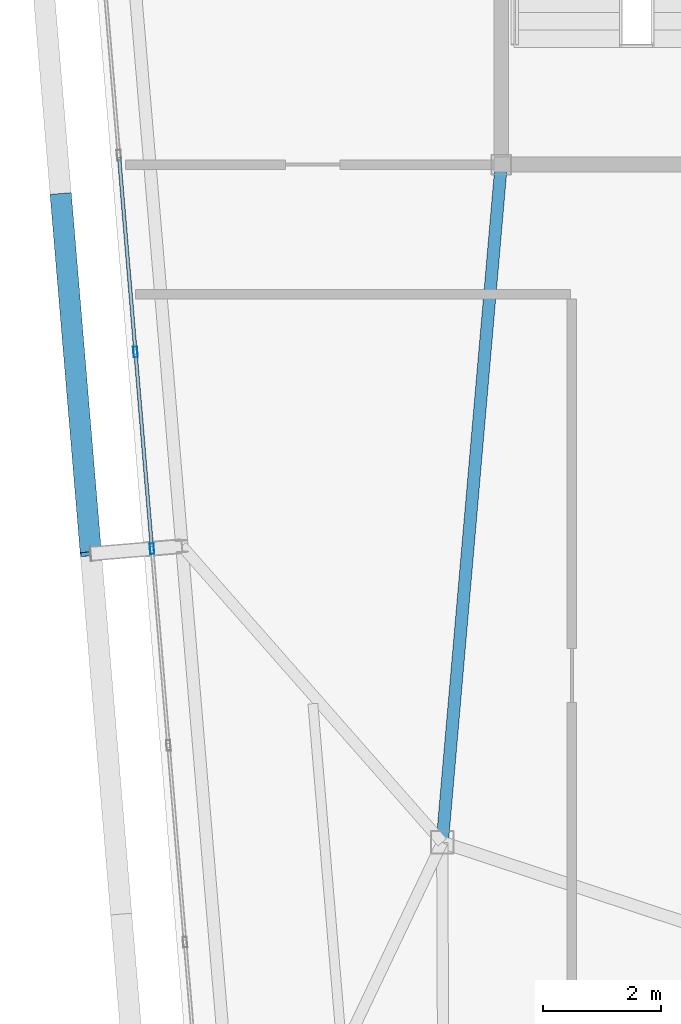
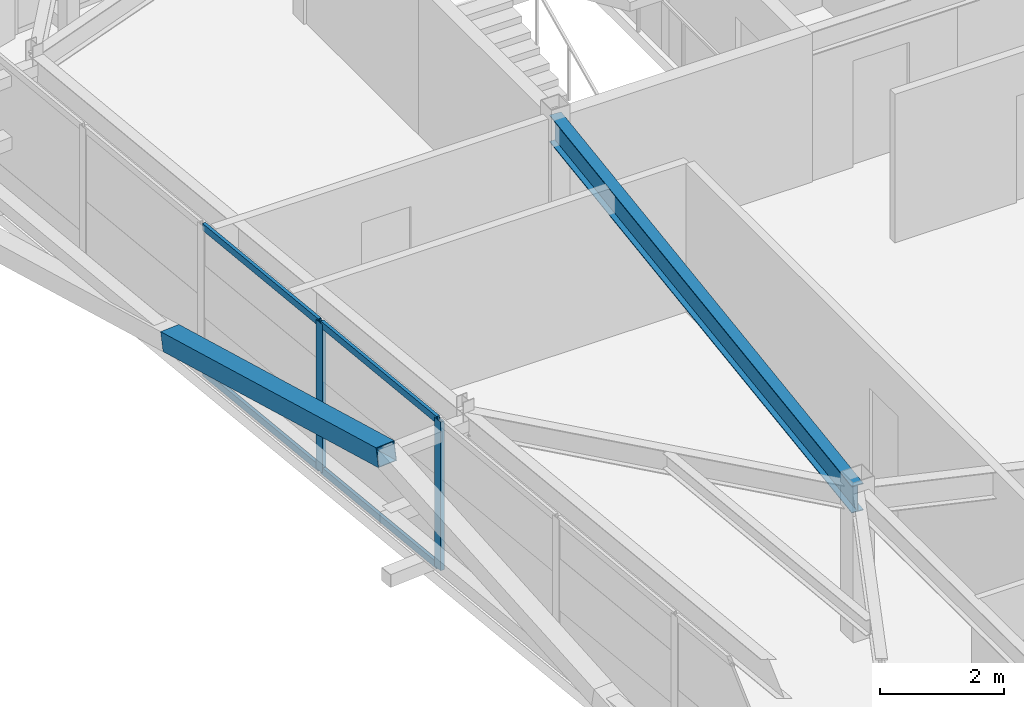
# One storey, part 14 of 46: 7 members, 1 beam, 1 element without a shape of its own.
"""IFC4 building model written with IfcOpenShell, lengths in metres."""

from ifc_helpers import new_model, si_unit, direction, frame, origin, origin_2d, place, context, subcontext, project, spatial, hollow_rectangle, i_section, extrude, source, transform, mapped, material, layer, layer_set, material_profile, profile_set, type_object, element, aggregate, save


model = new_model("IFC4")

# Units and contexts
model_context = context("Model", 3, precision=1e-05, world=origin(), true_north=direction((0.0, 1.0)))
body_context = subcontext(model_context, "Body", "Model", "MODEL_VIEW")
ifc_project = project(units=[si_unit("LENGTHUNIT", "METRE"), si_unit("AREAUNIT", "SQUARE_METRE"), si_unit("VOLUMEUNIT", "CUBIC_METRE"), si_unit("PLANEANGLEUNIT", "RADIAN"), si_unit("MASSUNIT", "GRAM", prefix="KILO")], contexts=[model_context])

# Site, building, storey
site_placement = place(None, origin())
site = spatial("IfcSite", under=ifc_project, at=site_placement, CompositionType="ELEMENT")
building_placement = place(site_placement, origin())
building = spatial("IfcBuilding", under=site, at=building_placement, Name="Taldren Reach Tower", CompositionType="ELEMENT")
storey_placement = place(building_placement, frame((0.0, 0.0, 185.14990234375)))
storey = spatial("IfcBuildingStorey", under=building, at=storey_placement, Name="L56", CompositionType="ELEMENT", Elevation=185.14990234375)

# Beam
ifc_material_1 = material(Name="Steel Gr 350 (350PLUS)", Category="steel")
ifc_material_profile_1 = material_profile(ifc_material_1, i_section(OverallWidth=0.208984375, OverallDepth=0.532958984375, WebThickness=0.01025390625, FlangeThickness=0.015625, at=origin_2d()), Name="530UB92.4")
ifc_profile_set_1 = profile_set([ifc_material_profile_1], Name="Steel Gr 350 (350PLUS)")
beam_type = type_object("IfcBeamType", Name="BM-UB530A", PredefinedType="BEAM", material=ifc_profile_set_1)
shared_shape_1 = source(origin(), body_context, "Body", "SweptSolid", [
    extrude(i_section(OverallWidth=0.208984375, OverallDepth=0.532958984375, WebThickness=0.01025390625, FlangeThickness=0.015625, at=origin_2d()), origin(), (0.0, 0.0, 1.0), 11.54345703125),
])
beam_placement = place(storey_placement, frame((19.0, 24.0, 2.66357421875), z_axis=(-0.086629616365, -0.996240588196, 0.0), x_axis=(0.996240588196, -0.086629616365, 0.0)))
element("IfcBeam", 1, at=beam_placement, inside=storey, type_object=beam_type, Name="Core-spine girder L56-SP09", PredefinedType="BEAM", context=body_context, shape_type="MappedRepresentation", body=[
    mapped(shared_shape_1, transform((0.0, 0.0, 0.0), scale=1.0)),
])

# Member
ifc_material_2 = material(Name="Steel Gr 450 (C450L0)", Category="steel")
ifc_material_profile_2 = material_profile(ifc_material_2, hollow_rectangle(XDim=0.360107421875, YDim=0.360107421875, WallThickness=0.0126953125, at=origin_2d()), Name="360x360x12.7SHS")
ifc_profile_set_2 = profile_set([ifc_material_profile_2], Name="Steel Gr 450 (C450L0)")
member_type_1 = type_object("IfcMemberType", Name="MB-EXO356", PredefinedType="BRACE", material=ifc_profile_set_2)
shared_shape_2 = source(origin(), body_context, "Body", "SweptSolid", [
    extrude(hollow_rectangle(XDim=0.360107421875, YDim=0.360107421875, WallThickness=0.0126953125, at=origin_2d()), origin(), (0.0, 0.0, 1.0), 6.2197265625),
])
member_1_placement = place(storey_placement, frame((11.52783203125, 23.47412109375, 1.43505859375), z_axis=(0.082036577282, -0.977295072332, 0.195356959394), x_axis=(0.996495340012, 0.08364829547, 0.0)))
element("IfcMember", 2, at=member_1_placement, inside=storey, type_object=member_type_1, Name="Exoskeleton Diagrid Brace B4-W2 L56", PredefinedType="BRACE", context=body_context, shape_type="MappedRepresentation", body=[
    mapped(shared_shape_2, transform((0.0, 0.0, 0.0), scale=1.0)),
])

# Curtain wall, members
ifc_material_3 = material(Name="Aluminium and Low-E Glass Unitised System", Category="aluminium")
ifc_layer = layer(ifc_material_3, 0.159912109375)
ifc_layer_set = layer_set([ifc_layer], Name="Aluminium and Low-E Glass Unitised System")
curtain_wall_type = type_object("IfcCurtainWallType", Name="CW-SYS-5", PredefinedType="NOTDEFINED", material=ifc_layer_set)
curtain_wall_placement = place(storey_placement, origin())
curtain_wall = element("IfcCurtainWall", 3, at=curtain_wall_placement, inside=storey, type_object=curtain_wall_type, Name="Unitised curtain wall CW-L56-W", PredefinedType="NOTDEFINED")
ifc_material_4 = material(Name="Anodised Aluminium 6063-T6", Category="aluminium")
ifc_material_profile_3 = material_profile(ifc_material_4, hollow_rectangle(XDim=0.070068359375, YDim=0.179931640625, WallThickness=0.00390625, at=origin_2d()), Name="ALU-180x70x4RHS")
ifc_profile_set_3 = profile_set([ifc_material_profile_3], Name="Anodised Aluminium 6063-T6")
member_type_2 = type_object("IfcMemberType", Name="CW-MUL-180", PredefinedType="MULLION", material=ifc_profile_set_3)
shared_shape_3 = source(origin(), body_context, "Body", "SweptSolid", [
    extrude(hollow_rectangle(XDim=0.070068359375, YDim=0.179931640625, WallThickness=0.00390625, at=origin_2d()), origin(), (0.0, 0.0, 1.0), 2.93017578125),
])
member_2_placement = place(storey_placement, frame((12.794189453125, 20.82080078125, 0.0), z_axis=(0.0, 0.0, 1.0), x_axis=(0.996492847789, 0.083677979808, 0.0)))
member_2 = element("IfcMember", 4, at=member_2_placement, type_object=member_type_2, Name="CW-5 mullion 4", PredefinedType="MULLION", context=body_context, shape_type="MappedRepresentation", body=[
    mapped(shared_shape_3, transform((0.0, 0.0, 0.0), scale=1.0)),
])
member_3_placement = place(storey_placement, frame((13.074462890625, 17.482421875, 0.0), z_axis=(0.0, 0.0, 1.0), x_axis=(0.996492847789, 0.083677979808, 0.0)))
member_3 = element("IfcMember", 5, at=member_3_placement, type_object=member_type_2, Name="CW-5 mullion 5", PredefinedType="MULLION", context=body_context, shape_type="MappedRepresentation", body=[
    mapped(shared_shape_3, transform((0.0, 0.0, 0.0), scale=1.0)),
])
ifc_material_profile_4 = material_profile(ifc_material_4, hollow_rectangle(XDim=0.06005859375, YDim=0.135009765625, WallThickness=0.00341796875, at=origin_2d()), Name="ALU-135x60x3.5RHS")
ifc_profile_set_4 = profile_set([ifc_material_profile_4], Name="Anodised Aluminium 6063-T6")
member_type_3 = type_object("IfcMemberType", Name="CW-TRN-150", PredefinedType="USERDEFINED", material=ifc_profile_set_4)
shared_shape_4 = source(origin(), body_context, "Body", "SweptSolid", [
    extrude(hollow_rectangle(XDim=0.06005859375, YDim=0.135009765625, WallThickness=0.00341796875, at=origin_2d()), origin(), (0.0, 0.0, 1.0), 3.280029296875),
])
member_4_placement = place(storey_placement, frame((12.516845703125, 24.124267578125, 0.030029296875), z_axis=(0.083661452101, -0.996494235524, 0.0), x_axis=(0.996494235524, 0.083661452101, 0.0)))
member_4 = element("IfcMember", 6, at=member_4_placement, type_object=member_type_3, Name="CW-5 transom 3.1", ObjectType="TRANSOM", PredefinedType="USERDEFINED", context=body_context, shape_type="MappedRepresentation", body=[
    mapped(shared_shape_4, transform((0.0, 0.0, 0.0), scale=1.0)),
])
member_5_placement = place(storey_placement, frame((12.516845703125, 24.124267578125, 2.900146484375), z_axis=(0.083661452101, -0.996494235524, 0.0), x_axis=(0.996494235524, 0.083661452101, 0.0)))
member_5 = element("IfcMember", 7, at=member_5_placement, type_object=member_type_3, Name="CW-5 transom 3.2", ObjectType="TRANSOM", PredefinedType="USERDEFINED", context=body_context, shape_type="MappedRepresentation", body=[
    mapped(shared_shape_4, transform((0.0, 0.0, 0.0), scale=1.0)),
])
member_6_placement = place(storey_placement, frame((12.797119140625, 20.785888671875, 0.030029296875), z_axis=(0.083661452101, -0.996494235524, 0.0), x_axis=(0.996494235524, 0.083661452101, 0.0)))
member_6 = element("IfcMember", 8, at=member_6_placement, type_object=member_type_3, Name="CW-5 transom 4.1", ObjectType="TRANSOM", PredefinedType="USERDEFINED", context=body_context, shape_type="MappedRepresentation", body=[
    mapped(shared_shape_4, transform((0.0, 0.0, 0.0), scale=1.0)),
])
member_7_placement = place(storey_placement, frame((12.797119140625, 20.785888671875, 2.900146484375), z_axis=(0.083661452101, -0.996494235524, 0.0), x_axis=(0.996494235524, 0.083661452101, 0.0)))
member_7 = element("IfcMember", 9, at=member_7_placement, type_object=member_type_3, Name="CW-5 transom 4.2", ObjectType="TRANSOM", PredefinedType="USERDEFINED", context=body_context, shape_type="MappedRepresentation", body=[
    mapped(shared_shape_4, transform((0.0, 0.0, 0.0), scale=1.0)),
])
aggregate(curtain_wall, [member_2, member_3, member_4, member_5, member_6, member_7])

save(model, "model.ifc")
